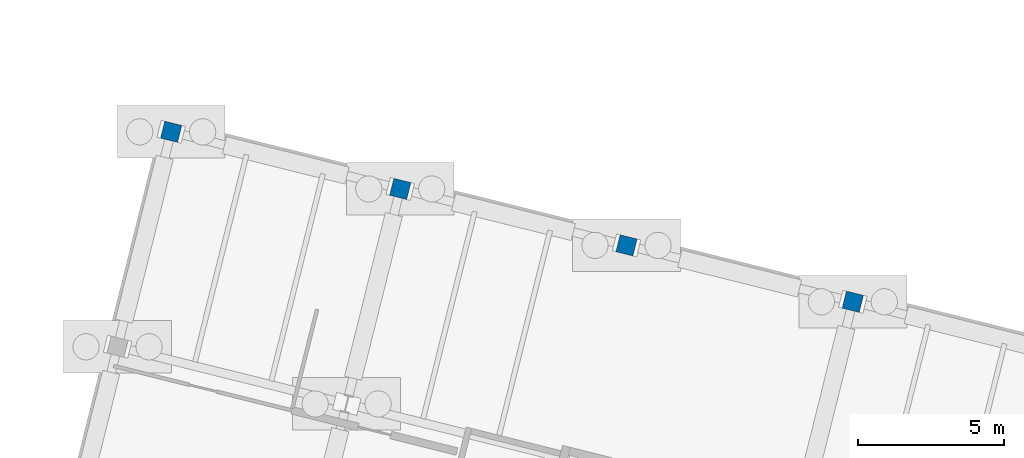
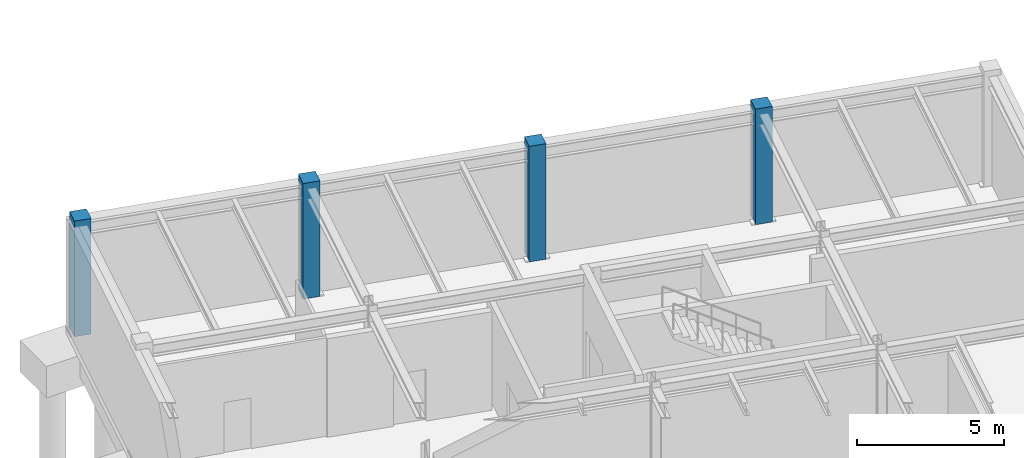
# One storey, part 20 of 50: 4 columns.
"""IFC4 building model written with IfcOpenShell, lengths in metres."""

from ifc_helpers import new_model, si_unit, direction, frame, origin, origin_2d, place, context, subcontext, project, spatial, rectangle, extrude, material, material_profile, profile_set, type_object, element, save


model = new_model("IFC4")

# Units and contexts
model_context = context("Model", 3, precision=1e-05, world=origin(), true_north=direction((0.0, 1.0)))
body_context = subcontext(model_context, "Body", "Model", "MODEL_VIEW")
ifc_project = project(units=[si_unit("LENGTHUNIT", "METRE"), si_unit("AREAUNIT", "SQUARE_METRE"), si_unit("VOLUMEUNIT", "CUBIC_METRE"), si_unit("PLANEANGLEUNIT", "RADIAN"), si_unit("MASSUNIT", "GRAM", prefix="KILO")], contexts=[model_context])

# Site, building, storey
site_placement = place(None, origin())
site = spatial("IfcSite", under=ifc_project, at=site_placement, CompositionType="ELEMENT")
building_placement = place(site_placement, origin())
building = spatial("IfcBuilding", under=site, at=building_placement, Name="Varnklinge Art Gallery", CompositionType="ELEMENT")
storey_placement = place(building_placement, frame((0.0, 0.0, -4.800048828125)))
storey = spatial("IfcBuildingStorey", under=building, at=storey_placement, Name="B01", CompositionType="ELEMENT", Elevation=-4.800048828125)

# Columns
ifc_material = material(Name="Concrete C40/50", Category="concrete")
ifc_material_profile = material_profile(ifc_material, rectangle(XDim=0.60009765625, YDim=0.60009765625, at=origin_2d()), Name="RC 600x600")
ifc_profile_set = profile_set([ifc_material_profile], Name="Concrete C40/50")
column_type = type_object("IfcColumnType", Name="COL-RC2", PredefinedType="COLUMN", material=ifc_profile_set)
for number, where, z_axis, x_axis, name in (
    (1, (11.063720703125, 107.165283203125, 0.0), (0.0, 0.0, 1.0), (0.970295726276, -0.2419218956, 0.0), "B01 Column V5C-1-4"),
    (2, (18.923095703125, 105.205810546875, 0.0), (0.0, 0.0, 1.0), (0.970295726276, -0.2419218956, 0.0), "B01 Column V5C-2-4"),
    (3, (26.685302734375, 103.270263671875, 0.0), (0.0, 0.0, 1.0), (0.970295726276, -0.2419218956, 0.0), "B01 Column V5C-3-4"),
    (4, (34.44775390625, 101.3349609375, 0.0), (0.0, 0.0, 1.0), (0.970295726276, -0.2419218956, 0.0), "B01 Column V5C-4-4"),
):
    element("IfcColumn", number, at=place(storey_placement, frame(where, z_axis=z_axis, x_axis=x_axis)), inside=storey, type_object=column_type, Name=name, PredefinedType="COLUMN", context=body_context, shape_type="SweptSolid", body=[
        extrude(rectangle(XDim=0.60009765625, YDim=0.60009765625, at=origin_2d()), origin(), (0.0, 0.0, 1.0), 4.800048828125),
    ])

save(model, "model.ifc")
